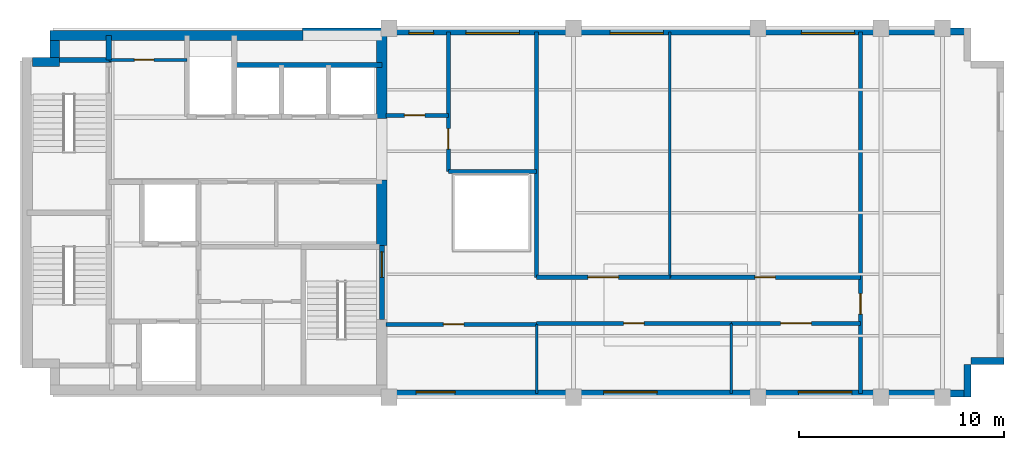
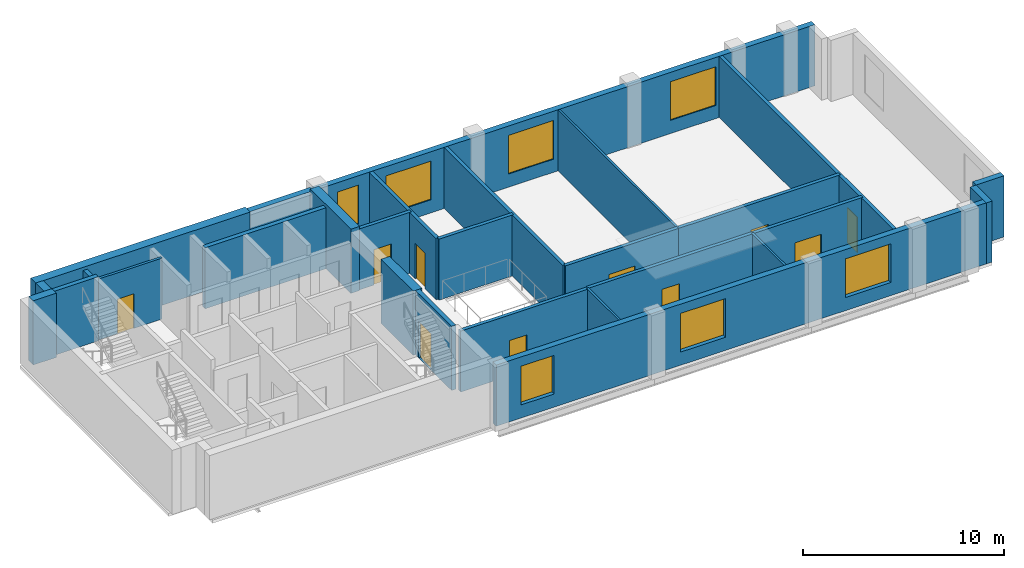
# One storey, part 3 of 5: 27 walls, 10 doors, 7 windows, 17 openings.
"""IFC4 building model written with IfcOpenShell, lengths in metres."""

import ifcopenshell
import ifcopenshell.guid

model = None  # the IFC model being written
_history = None  # IfcOwnerHistory: only IFC2X3 demands one
_inside = {}  # id of a spatial element -> (the spatial element, [elements in it])
_under = {}  # id of a project, library or spatial element -> (it, [spatial elements below it])
_declared = {}  # id of a project -> (the project, [libraries it declares])
_typed = {}  # id of a type object -> (the type object, [elements of that type])
_made_of = {}  # id of a material, layer set ... -> (it, [elements and type objects made of it])


def new_model(schema):
    """Start an empty IFC model of exactly this schema.

    Asked for "IFC4X3", IfcOpenShell would pick the latest addendum, in which some entities
    have other attributes; the version numbers below select the first issue.
    IFC2X3 requires an IfcOwnerHistory on every rooted entity: one is made here for all.
    """
    global model, _history
    if schema == "IFC4X3":
        model = ifcopenshell.file(schema_version=(4, 3, 0, 0))
    else:
        model = ifcopenshell.file(schema=schema)
    _inside.clear()
    _under.clear()
    _declared.clear()
    _typed.clear()
    _made_of.clear()
    _history = None
    if model.schema == "IFC2X3":
        org = make("IfcOrganization", Name="unknown")
        user = make(
            "IfcPersonAndOrganization",
            ThePerson=make("IfcPerson", FamilyName="unknown"),
            TheOrganization=org,
        )
        app = make(
            "IfcApplication",
            ApplicationDeveloper=org,
            Version="unknown",
            ApplicationFullName="unknown",
            ApplicationIdentifier="unknown",
        )
        _history = make(
            "IfcOwnerHistory",
            OwningUser=user,
            OwningApplication=app,
            ChangeAction="ADDED",
            CreationDate=0,
        )
    return model


def make(cls, **values):
    """One entity of the class cls with the attributes given. An attribute that is None is left unset."""
    return model.create_entity(
        cls, **{name: value for name, value in values.items() if value is not None}
    )


def rooted(cls, **values):
    """An entity with a GlobalId (a new one), such as an element, a storey or a relation."""
    return make(cls, GlobalId=ifcopenshell.guid.new(), OwnerHistory=_history, **values)


def si_unit(unit_type, name, prefix=None):
    """IfcSIUnit, for example si_unit("LENGTHUNIT", "METRE", prefix="MILLI")."""
    return make("IfcSIUnit", UnitType=unit_type, Prefix=prefix, Name=name)


def assignment(units):
    """IfcUnitAssignment: the units of a project."""
    return None if units is None else make("IfcUnitAssignment", Units=units)


def point(xyz):
    """IfcCartesianPoint."""
    return None if xyz is None else make("IfcCartesianPoint", Coordinates=xyz)


def direction(xyz):
    """IfcDirection."""
    return None if xyz is None else make("IfcDirection", DirectionRatios=xyz)


def frame(location, z_axis=None, x_axis=None):
    """IfcAxis2Placement3D, a coordinate frame: its origin and axes. An axis left out is left unset."""
    return make(
        "IfcAxis2Placement3D",
        Location=point(location),
        Axis=direction(z_axis),
        RefDirection=direction(x_axis),
    )


def frame_2d(location, x_axis=None):
    """IfcAxis2Placement2D, a coordinate frame in the plane: its origin and x axis."""
    return make(
        "IfcAxis2Placement2D", Location=point(location), RefDirection=direction(x_axis)
    )


def origin():
    """The frame at (0, 0, 0) with its axes left unset."""
    return frame((0.0, 0.0, 0.0))


def place(relative_to, where):
    """IfcLocalPlacement: puts the frame where relative to a parent placement (None: the world)."""
    return make(
        "IfcLocalPlacement", PlacementRelTo=relative_to, RelativePlacement=where
    )


def context(
    kind, dimensions, precision=None, world=None, true_north=None, identifier=None
):
    """IfcGeometricRepresentationContext, for example the 3D "Model" context."""
    return make(
        "IfcGeometricRepresentationContext",
        ContextIdentifier=identifier,
        ContextType=kind,
        CoordinateSpaceDimension=dimensions,
        Precision=precision,
        WorldCoordinateSystem=world,
        TrueNorth=true_north,
    )


def subcontext(parent, identifier, kind, view, scale=None):
    """IfcGeometricRepresentationSubContext, for example "Body" below "Model"."""
    return make(
        "IfcGeometricRepresentationSubContext",
        ContextIdentifier=identifier,
        ContextType=kind,
        ParentContext=parent,
        TargetScale=scale,
        TargetView=view,
    )


def project(units=None, contexts=None):
    """IfcProject with its units and contexts."""
    return rooted(
        "IfcProject",
        Name="project",
        RepresentationContexts=contexts,
        UnitsInContext=assignment(units),
    )


def spatial(cls, under=None, at=None, **own):
    """A site, building, storey or space (cls), placed at a placement, below another one or the project."""
    s = rooted(cls, ObjectPlacement=at, **own)
    if under is not None:
        _under.setdefault(under.id(), (under, []))[1].append(s)
    return s


def profile(cls, at=None, kind="AREA", **sizes):
    """A parametric profile (cls). Its sizes go by their IFC names, for example OverallWidth=200.0."""
    return make(cls, ProfileType=kind, Position=at, **sizes)


def rectangle(**sizes):
    """IfcRectangleProfileDef."""
    return profile("IfcRectangleProfileDef", **sizes)


def extrude(swept, where, along, depth):
    """IfcExtrudedAreaSolid: the profile swept, set in the frame where, extruded along a direction by depth."""
    return make(
        "IfcExtrudedAreaSolid",
        SweptArea=swept,
        Position=where,
        ExtrudedDirection=direction(along),
        Depth=depth,
    )


def shape(context_of_items, identifier, shape_type, items):
    """IfcShapeRepresentation: the items that make up one representation, for example the "Body"."""
    return make(
        "IfcShapeRepresentation",
        ContextOfItems=context_of_items,
        RepresentationIdentifier=identifier,
        RepresentationType=shape_type,
        Items=items,
    )


def material(Name=None, Category=None):
    """IfcMaterial."""
    return make("IfcMaterial", Name=Name, Category=Category)


def layer(
    of_material, thickness, ventilated=None, Name=None, Category=None, Priority=None
):
    """IfcMaterialLayer: one layer of a wall or slab, of a material (None: an air gap)."""
    return make(
        "IfcMaterialLayer",
        Material=of_material,
        LayerThickness=thickness,
        IsVentilated=ventilated,
        Name=Name,
        Category=Category,
        Priority=Priority,
    )


def layer_set(layers, Name=None):
    """IfcMaterialLayerSet."""
    return make("IfcMaterialLayerSet", MaterialLayers=layers, LayerSetName=Name)


def made_of(thing, what):
    """Note that an element or type object is made of a material, layer set ...; save() writes the relation."""
    if what is not None:
        _made_of.setdefault(what.id(), (what, []))[1].append(thing)
    return thing


def type_object(cls, material=None, **own):
    """A type object (cls), such as IfcWallType, which elements share."""
    return made_of(rooted(cls, **own), material)


def element(
    cls,
    number,
    at=None,
    inside=None,
    cuts=None,
    type_object=None,
    material=None,
    context=None,
    identifier="Body",
    shape_type=None,
    held_by="IfcProductDefinitionShape",
    body=None,
    shapes=None,
    **own,
):
    """One element of the class cls, such as IfcWall. Its Tag is "e" and its number.

    at: its placement. inside: the storey or other place that contains it. cuts: it is an
    opening in that element (IfcRelVoidsElement). A single representation is given by context,
    identifier, shape_type and body (its items); several are given by shapes. held_by: the class
    of the entity that holds the representations. save() writes the other relations.
    """
    e = rooted(cls, Tag="e%d" % number, ObjectPlacement=at, **own)
    if body is not None:
        shapes = [shape(context, identifier, shape_type, body)]
    if shapes is not None:
        e.Representation = make(held_by, Representations=shapes)
    if inside is not None:
        _inside.setdefault(inside.id(), (inside, []))[1].append(e)
    if cuts is not None:
        rooted(
            "IfcRelVoidsElement", RelatingBuildingElement=cuts, RelatedOpeningElement=e
        )
    if type_object is not None:
        _typed.setdefault(type_object.id(), (type_object, []))[1].append(e)
    return made_of(e, material)


def fill(opening, filler):
    """IfcRelFillsElement: the door or window that sits in an opening."""
    return rooted(
        "IfcRelFillsElement",
        RelatingOpeningElement=opening,
        RelatedBuildingElement=filler,
    )


def aggregate(whole, parts):
    """IfcRelAggregates: a whole, such as a stair, and the parts it consists of."""
    return rooted("IfcRelAggregates", RelatingObject=whole, RelatedObjects=parts)


def save(model, path):
    """Write the relations noted so far, then the file.

    IfcRelAggregates (storeys below a building ...), IfcRelContainedInSpatialStructure (elements
    in a storey), IfcRelDefinesByType, IfcRelAssociatesMaterial and IfcRelDeclares: one each for
    every whole, place, type object, material and project.
    """
    for whole, parts in _under.values():
        aggregate(whole, parts)
    for where, things in _inside.values():
        rooted(
            "IfcRelContainedInSpatialStructure",
            RelatedElements=things,
            RelatingStructure=where,
        )
    for kind, things in _typed.values():
        rooted("IfcRelDefinesByType", RelatedObjects=things, RelatingType=kind)
    for what, things in _made_of.values():
        rooted("IfcRelAssociatesMaterial", RelatedObjects=things, RelatingMaterial=what)
    for by, libraries in _declared.values():
        rooted("IfcRelDeclares", RelatingContext=by, RelatedDefinitions=libraries)
    model.write(path)


model = new_model("IFC4")

# Units and contexts
model_context = context("Model", 3, precision=1e-05, world=origin(), true_north=direction((0.0, 1.0)))
body_context = subcontext(model_context, "Body", "Model", "MODEL_VIEW")
ifc_project = project(units=[si_unit("LENGTHUNIT", "METRE"), si_unit("AREAUNIT", "SQUARE_METRE"), si_unit("VOLUMEUNIT", "CUBIC_METRE"), si_unit("PLANEANGLEUNIT", "RADIAN"), si_unit("MASSUNIT", "GRAM", prefix="KILO")], contexts=[model_context])

# Site, building, storey
site_placement = place(None, origin())
site = spatial("IfcSite", under=ifc_project, at=site_placement, CompositionType="ELEMENT")
building_placement = place(site_placement, origin())
building = spatial("IfcBuilding", under=site, at=building_placement, Name="Mawjdan Bourse Tower", CompositionType="ELEMENT")
storey_placement = place(building_placement, frame((0.0, 0.0, 266.39990234375)))
storey = spatial("IfcBuildingStorey", under=building, at=storey_placement, Name="L65", CompositionType="ELEMENT", Elevation=266.39990234375)

# Wall, openings, windows
ifc_material_1 = material(Name="Brick Masonry Buff", Category="masonry")
ifc_layer_1 = layer(ifc_material_1, 0.340087890625)
ifc_layer_set_1 = layer_set([ifc_layer_1], Name="Brick Masonry Buff")
wall_type_1 = type_object("IfcWallType", Name="WL-BRK-SPN-340", PredefinedType="STANDARD", material=ifc_layer_set_1)
wall_1_placement = place(storey_placement, frame((23.89990234375, 3.169921875, 0.0), z_axis=(0.0, 0.0, 1.0), x_axis=(1.0, 0.0, 0.0)))
wall_1 = element("IfcWall", 1, at=wall_1_placement, inside=storey, type_object=wall_type_1, Name="L65 Exterior Brick Wall 1", PredefinedType="STANDARD", context=body_context, shape_type="SweptSolid", body=[
    extrude(rectangle(XDim=28.5, YDim=0.340087890625, at=frame_2d((14.25, 0.0))), origin(), (0.0, 0.0, 1.0), 3.715087890625),
])
opening_1_placement = place(wall_1_placement, frame((1.425048828125, 0.0, 0.800048828125)))
opening_1 = element("IfcOpeningElement", 2, at=opening_1_placement, cuts=wall_1, Name="Opening W-L65-01", PredefinedType="OPENING", context=body_context, shape_type="SweptSolid", body=[
    extrude(rectangle(XDim=1.89990234375, YDim=2.35009765625, at=frame_2d((0.949951171875, 1.175048828125))), frame((0.0, 0.18017578125, 0.0), z_axis=(0.0, -1.0, 0.0), x_axis=(1.0, 0.0, 0.0)), (0.0, 0.0, 1.0), 0.360107421875),
])
opening_2_placement = place(wall_1_placement, frame((10.574951171875, 0.0, 0.800048828125)))
opening_2 = element("IfcOpeningElement", 3, at=opening_2_placement, cuts=wall_1, Name="Opening W-L65-02", PredefinedType="OPENING", context=body_context, shape_type="SweptSolid", body=[
    extrude(rectangle(XDim=2.60009765625, YDim=2.35009765625, at=frame_2d((1.300048828125, 1.175048828125))), frame((0.0, 0.18017578125, 0.0), z_axis=(0.0, -1.0, 0.0), x_axis=(1.0, 0.0, 0.0)), (0.0, 0.0, 1.0), 0.360107421875),
])
opening_3_placement = place(wall_1_placement, frame((20.074951171875, 0.0, 0.800048828125)))
opening_3 = element("IfcOpeningElement", 4, at=opening_3_placement, cuts=wall_1, Name="Opening W-L65-03", PredefinedType="OPENING", context=body_context, shape_type="SweptSolid", body=[
    extrude(rectangle(XDim=2.60009765625, YDim=2.35009765625, at=frame_2d((1.300048828125, 1.175048828125))), frame((0.0, 0.18017578125, 0.0), z_axis=(0.0, -1.0, 0.0), x_axis=(1.0, 0.0, 0.0)), (0.0, 0.0, 1.0), 0.360107421875),
])
ifc_material_2 = material(Name="Solar-Control Clear Double Glazing", Category="glass")
window_type_1 = type_object("IfcWindowType", Name="WN-SMT-1900", PartitioningType="SINGLE_PANEL", PredefinedType="WINDOW", material=ifc_material_2)
window_1_placement = place(opening_1_placement, origin())
window_1 = element("IfcWindow", 5, at=window_1_placement, inside=storey, type_object=window_type_1, Name="L65 Deep-Set Masonry Window W-L65-01", OverallHeight=2.35009765625, OverallWidth=1.89990234375, PartitioningType="SINGLE_PANEL", PredefinedType="WINDOW", context=body_context, shape_type="SweptSolid", body=[
    extrude(rectangle(XDim=1.89990234375, YDim=2.35009765625, at=frame_2d((0.949951171875, 1.175048828125))), frame((0.0, 0.110107421875, 0.0), z_axis=(0.0, -1.0, 0.0), x_axis=(1.0, 0.0, 0.0)), (0.0, 0.0, 1.0), 0.06005859375),
])
fill(opening_1, window_1)
window_type_2 = type_object("IfcWindowType", Name="WN-SMT-2600", PartitioningType="SINGLE_PANEL", PredefinedType="WINDOW", material=ifc_material_2)
window_2_placement = place(opening_2_placement, origin())
window_2 = element("IfcWindow", 6, at=window_2_placement, inside=storey, type_object=window_type_2, Name="L65 Deep-Set Masonry Window W-L65-02", OverallHeight=2.35009765625, OverallWidth=2.60009765625, PartitioningType="SINGLE_PANEL", PredefinedType="WINDOW", context=body_context, shape_type="SweptSolid", body=[
    extrude(rectangle(XDim=2.60009765625, YDim=2.35009765625, at=frame_2d((1.300048828125, 1.175048828125))), frame((0.0, 0.110107421875, 0.0), z_axis=(0.0, -1.0, 0.0), x_axis=(1.0, 0.0, 0.0)), (0.0, 0.0, 1.0), 0.06005859375),
])
fill(opening_2, window_2)
window_3_placement = place(opening_3_placement, origin())
window_3 = element("IfcWindow", 7, at=window_3_placement, inside=storey, type_object=window_type_2, Name="L65 Deep-Set Masonry Window W-L65-03", OverallHeight=2.35009765625, OverallWidth=2.60009765625, PartitioningType="SINGLE_PANEL", PredefinedType="WINDOW", context=body_context, shape_type="SweptSolid", body=[
    extrude(rectangle(XDim=2.60009765625, YDim=2.35009765625, at=frame_2d((1.300048828125, 1.175048828125))), frame((0.0, 0.110107421875, 0.0), z_axis=(0.0, -1.0, 0.0), x_axis=(1.0, 0.0, 0.0)), (0.0, 0.0, 1.0), 0.06005859375),
])
fill(opening_3, window_3)

# Walls
for number, where, z_axis, x_axis, name in (
    (8, (52.22998046875, 3.0, 0.0), (0.0, 0.0, 1.0), (0.0, 1.0, 0.0), "L65 Exterior Brick Wall 2"),
    (9, (52.39990234375, 4.77001953125, 0.0), (0.0, 0.0, 1.0), (1.0, 0.0, 0.0), "L65 Exterior Brick Wall 3"),
):
    element("IfcWall", number, at=place(storey_placement, frame(where, z_axis=z_axis, x_axis=x_axis)), inside=storey, type_object=wall_type_1, Name=name, PredefinedType="STANDARD", context=body_context, shape_type="SweptSolid", body=[
        extrude(rectangle(XDim=1.60009765625, YDim=0.340087890625, at=frame_2d((0.800048828125, 0.0))), origin(), (0.0, 0.0, 1.0), 3.715087890625),
    ])

# Wall, openings, windows
wall_2_placement = place(storey_placement, frame((52.39990234375, 20.830078125, 0.0), z_axis=(0.0, 0.0, 1.0), x_axis=(-1.0, 0.0, 0.0)))
wall_2 = element("IfcWall", 10, at=wall_2_placement, inside=storey, type_object=wall_type_1, Name="L65 Exterior Brick Wall 7", PredefinedType="STANDARD", context=body_context, shape_type="SweptSolid", body=[
    extrude(rectangle(XDim=32.619873046875, YDim=0.340087890625, at=frame_2d((16.31005859375, 0.0))), origin(), (0.0, 0.0, 1.0), 3.715087890625),
])
opening_4_placement = place(wall_2_placement, frame((5.68994140625, 0.0, 0.800048828125)))
opening_4 = element("IfcOpeningElement", 11, at=opening_4_placement, cuts=wall_2, Name="Opening W-L65-06", PredefinedType="OPENING", context=body_context, shape_type="SweptSolid", body=[
    extrude(rectangle(XDim=2.60009765625, YDim=2.35009765625, at=frame_2d((1.300048828125, 1.175048828125))), frame((0.0, 0.18017578125, 0.0), z_axis=(0.0, -1.0, 0.0), x_axis=(1.0, 0.0, 0.0)), (0.0, 0.0, 1.0), 0.360107421875),
])
opening_5_placement = place(wall_2_placement, frame((15.010009765625, 0.0, 0.800048828125)))
opening_5 = element("IfcOpeningElement", 12, at=opening_5_placement, cuts=wall_2, Name="Opening W-L65-07", PredefinedType="OPENING", context=body_context, shape_type="SweptSolid", body=[
    extrude(rectangle(XDim=2.60009765625, YDim=2.35009765625, at=frame_2d((1.300048828125, 1.175048828125))), frame((0.0, 0.18017578125, 0.0), z_axis=(0.0, -1.0, 0.0), x_axis=(1.0, 0.0, 0.0)), (0.0, 0.0, 1.0), 0.360107421875),
])
opening_6_placement = place(wall_2_placement, frame((26.225830078125, 0.0, 0.800048828125)))
opening_6 = element("IfcOpeningElement", 13, at=opening_6_placement, cuts=wall_2, Name="Opening W-L65-08", PredefinedType="OPENING", context=body_context, shape_type="SweptSolid", body=[
    extrude(rectangle(XDim=1.199951171875, YDim=2.35009765625, at=frame_2d((0.60009765625, 1.175048828125))), frame((0.0, 0.18017578125, 0.0), z_axis=(0.0, -1.0, 0.0), x_axis=(1.0, 0.0, 0.0)), (0.0, 0.0, 1.0), 0.360107421875),
])
opening_7_placement = place(wall_2_placement, frame((22.0458984375, 0.0, 0.800048828125)))
opening_7 = element("IfcOpeningElement", 14, at=opening_7_placement, cuts=wall_2, Name="Opening W-L65-09", PredefinedType="OPENING", context=body_context, shape_type="SweptSolid", body=[
    extrude(rectangle(XDim=2.60009765625, YDim=2.35009765625, at=frame_2d((1.300048828125, 1.175048828125))), frame((0.0, 0.18017578125, 0.0), z_axis=(0.0, -1.0, 0.0), x_axis=(1.0, 0.0, 0.0)), (0.0, 0.0, 1.0), 0.360107421875),
])
window_type_3 = type_object("IfcWindowType", Name="WN-SMT-1200", PartitioningType="SINGLE_PANEL", PredefinedType="WINDOW", material=ifc_material_2)
window_4_placement = place(opening_6_placement, origin())
window_4 = element("IfcWindow", 15, at=window_4_placement, inside=storey, type_object=window_type_3, Name="L65 Deep-Set Masonry Window W-L65-08", OverallHeight=2.35009765625, OverallWidth=1.199951171875, PartitioningType="SINGLE_PANEL", PredefinedType="WINDOW", context=body_context, shape_type="SweptSolid", body=[
    extrude(rectangle(XDim=1.199951171875, YDim=2.35009765625, at=frame_2d((0.60009765625, 1.175048828125))), frame((0.0, 0.110107421875, 0.0), z_axis=(0.0, -1.0, 0.0), x_axis=(1.0, 0.0, 0.0)), (0.0, 0.0, 1.0), 0.06005859375),
])
fill(opening_6, window_4)
window_5_placement = place(opening_4_placement, origin())
window_5 = element("IfcWindow", 16, at=window_5_placement, inside=storey, type_object=window_type_2, Name="L65 Deep-Set Masonry Window W-L65-06", OverallHeight=2.35009765625, OverallWidth=2.60009765625, PartitioningType="SINGLE_PANEL", PredefinedType="WINDOW", context=body_context, shape_type="SweptSolid", body=[
    extrude(rectangle(XDim=2.60009765625, YDim=2.35009765625, at=frame_2d((1.300048828125, 1.175048828125))), frame((0.0, 0.110107421875, 0.0), z_axis=(0.0, -1.0, 0.0), x_axis=(1.0, 0.0, 0.0)), (0.0, 0.0, 1.0), 0.06005859375),
])
fill(opening_4, window_5)
window_6_placement = place(opening_5_placement, origin())
window_6 = element("IfcWindow", 17, at=window_6_placement, inside=storey, type_object=window_type_2, Name="L65 Deep-Set Masonry Window W-L65-07", OverallHeight=2.35009765625, OverallWidth=2.60009765625, PartitioningType="SINGLE_PANEL", PredefinedType="WINDOW", context=body_context, shape_type="SweptSolid", body=[
    extrude(rectangle(XDim=2.60009765625, YDim=2.35009765625, at=frame_2d((1.300048828125, 1.175048828125))), frame((0.0, 0.110107421875, 0.0), z_axis=(0.0, -1.0, 0.0), x_axis=(1.0, 0.0, 0.0)), (0.0, 0.0, 1.0), 0.06005859375),
])
fill(opening_5, window_6)
window_7_placement = place(opening_7_placement, origin())
window_7 = element("IfcWindow", 18, at=window_7_placement, inside=storey, type_object=window_type_2, Name="L65 Deep-Set Masonry Window W-L65-09", OverallHeight=2.35009765625, OverallWidth=2.60009765625, PartitioningType="SINGLE_PANEL", PredefinedType="WINDOW", context=body_context, shape_type="SweptSolid", body=[
    extrude(rectangle(XDim=2.60009765625, YDim=2.35009765625, at=frame_2d((1.300048828125, 1.175048828125))), frame((0.0, 0.110107421875, 0.0), z_axis=(0.0, -1.0, 0.0), x_axis=(1.0, 0.0, 0.0)), (0.0, 0.0, 1.0), 0.06005859375),
])
fill(opening_7, window_7)

# Wall, opening, door
ifc_material_3 = material(Name="Gypsum Fireboard Assembly")
ifc_layer_2 = layer(ifc_material_3, 0.199951171875)
ifc_layer_set_2 = layer_set([ifc_layer_2], Name="Gypsum Fireboard Assembly")
wall_type_2 = type_object("IfcWallType", Name="WL-CMP-200", PredefinedType="PARTITIONING", material=ifc_layer_set_2)
wall_3_placement = place(storey_placement, frame((23.85009765625, 6.550048828125, 0.0), z_axis=(0.0, 0.0, 1.0), x_axis=(1.0, 0.0, 0.0)))
wall_3 = element("IfcWall", 19, at=wall_3_placement, inside=storey, type_object=wall_type_2, Name="L65 Summit Throat South Wall", PredefinedType="PARTITIONING", context=body_context, shape_type="SweptSolid", body=[
    extrude(rectangle(XDim=7.349853515625, YDim=0.199951171875, at=frame_2d((3.6748046875, 0.0))), origin(), (0.0, 0.0, 1.0), 3.705078125),
])
opening_8_placement = place(wall_3_placement, frame((2.800048828125, 0.0, 0.0)))
opening_8 = element("IfcOpeningElement", 20, at=opening_8_placement, cuts=wall_3, Name="Opening D-L65-18", PredefinedType="OPENING", context=body_context, shape_type="SweptSolid", body=[
    extrude(rectangle(XDim=1.0, YDim=2.14990234375, at=frame_2d((0.5, 1.074951171875))), frame((0.0, 0.10986328125, 0.0), z_axis=(0.0, -1.0, 0.0), x_axis=(1.0, 0.0, 0.0)), (0.0, 0.0, 1.0), 0.219970703125),
])
ifc_material_4 = material(Name="Hardwood Acoustic Leaf", Category="wood")
door_type_1 = type_object("IfcDoorType", Name="DR-OFC-1000", OperationType="NOTDEFINED", PredefinedType="DOOR", material=ifc_material_4)
door_1_placement = place(opening_8_placement, origin())
door_1 = element("IfcDoor", 21, at=door_1_placement, inside=storey, type_object=door_type_1, Name="L65 Summit Throat South Room Door D-L65-18", OperationType="SINGLE_SWING_LEFT", OverallHeight=2.14990234375, OverallWidth=1.0, PredefinedType="DOOR", context=body_context, shape_type="SweptSolid", body=[
    extrude(rectangle(XDim=1.0, YDim=2.14990234375, at=frame_2d((0.5, 1.074951171875))), frame((0.0, 0.02490234375, 0.0), z_axis=(0.0, -1.0, 0.0), x_axis=(1.0, 0.0, 0.0)), (0.0, 0.0, 1.0), 0.050048828125),
])
fill(opening_8, door_1)

wall_4_placement = place(storey_placement, frame((23.85009765625, 16.75, 0.0), z_axis=(0.0, 0.0, 1.0), x_axis=(1.0, 0.0, 0.0)))
wall_4 = element("IfcWall", 22, at=wall_4_placement, inside=storey, type_object=wall_type_2, Name="L65 Summit NW Study South Wall", PredefinedType="PARTITIONING", context=body_context, shape_type="SweptSolid", body=[
    extrude(rectangle(XDim=3.0498046875, YDim=0.199951171875, at=frame_2d((1.52490234375, 0.0))), origin(), (0.0, 0.0, 1.0), 3.705078125),
])
opening_9_placement = place(wall_4_placement, frame((0.89990234375, 0.0, 0.0)))
opening_9 = element("IfcOpeningElement", 23, at=opening_9_placement, cuts=wall_4, Name="Opening D-L65-19", PredefinedType="OPENING", context=body_context, shape_type="SweptSolid", body=[
    extrude(rectangle(XDim=1.0, YDim=2.14990234375, at=frame_2d((0.5, 1.074951171875))), frame((0.0, 0.10986328125, 0.0), z_axis=(0.0, -1.0, 0.0), x_axis=(1.0, 0.0, 0.0)), (0.0, 0.0, 1.0), 0.219970703125),
])
door_2_placement = place(opening_9_placement, origin())
door_2 = element("IfcDoor", 24, at=door_2_placement, inside=storey, type_object=door_type_1, Name="L65 Summit NW Study Door D-L65-19", OperationType="SINGLE_SWING_RIGHT", OverallHeight=2.14990234375, OverallWidth=1.0, PredefinedType="DOOR", context=body_context, shape_type="SweptSolid", body=[
    extrude(rectangle(XDim=1.0, YDim=2.14990234375, at=frame_2d((0.5, 1.074951171875))), frame((0.0, 0.02490234375, 0.0), z_axis=(0.0, -1.0, 0.0), x_axis=(1.0, 0.0, 0.0)), (0.0, 0.0, 1.0), 0.050048828125),
])
fill(opening_9, door_2)

wall_5_placement = place(storey_placement, frame((26.89990234375, 14.0, 0.0), z_axis=(0.0, 0.0, 1.0), x_axis=(0.0, 1.0, 0.0)))
wall_5 = element("IfcWall", 25, at=wall_5_placement, inside=storey, type_object=wall_type_2, Name="L65 Summit North Atrium Suite West Wall", PredefinedType="PARTITIONING", context=body_context, shape_type="SweptSolid", body=[
    extrude(rectangle(XDim=6.820068359375, YDim=0.199951171875, at=frame_2d((3.41015625, 0.0))), origin(), (0.0, 0.0, 1.0), 3.705078125),
])
opening_10_placement = place(wall_5_placement, frame((1.10009765625, 0.0, 0.0)))
opening_10 = element("IfcOpeningElement", 26, at=opening_10_placement, cuts=wall_5, Name="Opening D-L65-20", PredefinedType="OPENING", context=body_context, shape_type="SweptSolid", body=[
    extrude(rectangle(XDim=1.0, YDim=2.14990234375, at=frame_2d((0.5, 1.074951171875))), frame((0.0, 0.10986328125, 0.0), z_axis=(0.0, -1.0, 0.0), x_axis=(1.0, 0.0, 0.0)), (0.0, 0.0, 1.0), 0.219970703125),
])
door_3_placement = place(opening_10_placement, origin())
door_3 = element("IfcDoor", 27, at=door_3_placement, inside=storey, type_object=door_type_1, Name="L65 Summit North Atrium Suite Door D-L65-20", OperationType="SINGLE_SWING_LEFT", OverallHeight=2.14990234375, OverallWidth=1.0, PredefinedType="DOOR", context=body_context, shape_type="SweptSolid", body=[
    extrude(rectangle(XDim=1.0, YDim=2.14990234375, at=frame_2d((0.5, 1.074951171875))), frame((0.0, 0.02490234375, 0.0), z_axis=(0.0, -1.0, 0.0), x_axis=(1.0, 0.0, 0.0)), (0.0, 0.0, 1.0), 0.050048828125),
])
fill(opening_10, door_3)

# Walls
wall_6_placement = place(storey_placement, frame((26.89990234375, 14.0, 0.0), z_axis=(0.0, 0.0, 1.0), x_axis=(1.0, 0.0, 0.0)))
element("IfcWall", 28, at=wall_6_placement, inside=storey, type_object=wall_type_2, Name="L65 Summit North Atrium Suite South Wall", PredefinedType="PARTITIONING", context=body_context, shape_type="SweptSolid", body=[
    extrude(rectangle(XDim=4.300048828125, YDim=0.199951171875, at=frame_2d((2.14990234375, 0.0))), origin(), (0.0, 0.0, 1.0), 3.705078125),
])
wall_7_placement = place(storey_placement, frame((31.199951171875, 8.85009765625, 0.0), z_axis=(0.0, 0.0, 1.0), x_axis=(0.0, 1.0, 0.0)))
element("IfcWall", 29, at=wall_7_placement, inside=storey, type_object=wall_type_2, Name="L65 Summit North Atrium Suite East Wall", PredefinedType="PARTITIONING", context=body_context, shape_type="SweptSolid", body=[
    extrude(rectangle(XDim=11.969970703125, YDim=0.199951171875, at=frame_2d((5.98486328125, 0.0))), origin(), (0.0, 0.0, 1.0), 3.705078125),
])

# Wall, opening, door
wall_8_placement = place(storey_placement, frame((31.199951171875, 6.60009765625, 0.0), z_axis=(0.0, 0.0, 1.0), x_axis=(1.0, 0.0, 0.0)))
wall_8 = element("IfcWall", 30, at=wall_8_placement, inside=storey, type_object=wall_type_2, Name="L65 Chairman Executive Office Corridor Wall", PredefinedType="PARTITIONING", context=body_context, shape_type="SweptSolid", body=[
    extrude(rectangle(XDim=9.5, YDim=0.199951171875, at=frame_2d((4.75, 0.0))), origin(), (0.0, 0.0, 1.0), 3.705078125),
])
opening_11_placement = place(wall_8_placement, frame((4.25, 0.0, 0.0)))
opening_11 = element("IfcOpeningElement", 31, at=opening_11_placement, cuts=wall_8, Name="Opening D-L65-21", PredefinedType="OPENING", context=body_context, shape_type="SweptSolid", body=[
    extrude(rectangle(XDim=1.0, YDim=2.14990234375, at=frame_2d((0.5, 1.074951171875))), frame((0.0, 0.10986328125, 0.0), z_axis=(0.0, -1.0, 0.0), x_axis=(1.0, 0.0, 0.0)), (0.0, 0.0, 1.0), 0.219970703125),
])
door_4_placement = place(opening_11_placement, origin())
door_4 = element("IfcDoor", 32, at=door_4_placement, inside=storey, type_object=door_type_1, Name="L65 Chairman Executive Office Door D-L65-21", OperationType="SINGLE_SWING_RIGHT", OverallHeight=2.14990234375, OverallWidth=1.0, PredefinedType="DOOR", context=body_context, shape_type="SweptSolid", body=[
    extrude(rectangle(XDim=1.0, YDim=2.14990234375, at=frame_2d((0.5, 1.074951171875))), frame((0.0, 0.02490234375, 0.0), z_axis=(0.0, -1.0, 0.0), x_axis=(1.0, 0.0, 0.0)), (0.0, 0.0, 1.0), 0.050048828125),
])
fill(opening_11, door_4)

wall_9_placement = place(storey_placement, frame((40.699951171875, 6.60009765625, 0.0), z_axis=(0.0, 0.0, 1.0), x_axis=(1.0, 0.0, 0.0)))
wall_9 = element("IfcWall", 33, at=wall_9_placement, inside=storey, type_object=wall_type_2, Name="L65 Bourse Executive Boardroom Corridor Wall", PredefinedType="PARTITIONING", context=body_context, shape_type="SweptSolid", body=[
    extrude(rectangle(XDim=6.300048828125, YDim=0.199951171875, at=frame_2d((3.14990234375, 0.0))), origin(), (0.0, 0.0, 1.0), 3.705078125),
])
opening_12_placement = place(wall_9_placement, frame((2.39990234375, 0.0, 0.0)))
opening_12 = element("IfcOpeningElement", 34, at=opening_12_placement, cuts=wall_9, Name="Opening D-L65-22", PredefinedType="OPENING", context=body_context, shape_type="SweptSolid", body=[
    extrude(rectangle(XDim=1.5, YDim=2.300048828125, at=frame_2d((0.75, 1.14990234375))), frame((0.0, 0.10986328125, 0.0), z_axis=(0.0, -1.0, 0.0), x_axis=(1.0, 0.0, 0.0)), (0.0, 0.0, 1.0), 0.219970703125),
])
ifc_material_5 = material(Name="Acoustic Glazed Timber", Category="wood")
door_type_2 = type_object("IfcDoorType", Name="DR-CNF-1500", OperationType="DOUBLE_DOOR_SINGLE_SWING", PredefinedType="DOOR", material=ifc_material_5)
door_5_placement = place(opening_12_placement, origin())
door_5 = element("IfcDoor", 35, at=door_5_placement, inside=storey, type_object=door_type_2, Name="L65 Bourse Executive Boardroom Door D-L65-22", OperationType="DOUBLE_DOOR_SINGLE_SWING", OverallHeight=2.300048828125, OverallWidth=1.5, PredefinedType="DOOR", context=body_context, shape_type="SweptSolid", body=[
    extrude(rectangle(XDim=1.5, YDim=2.300048828125, at=frame_2d((0.75, 1.14990234375))), frame((0.0, 0.02490234375, 0.0), z_axis=(0.0, -1.0, 0.0), x_axis=(1.0, 0.0, 0.0)), (0.0, 0.0, 1.0), 0.050048828125),
])
fill(opening_12, door_5)

wall_10_placement = place(storey_placement, frame((31.199951171875, 8.85009765625, 0.0), z_axis=(0.0, 0.0, 1.0), x_axis=(1.0, 0.0, 0.0)))
wall_10 = element("IfcWall", 36, at=wall_10_placement, inside=storey, type_object=wall_type_2, Name="L65 Conference Room Corridor Wall", PredefinedType="PARTITIONING", context=body_context, shape_type="SweptSolid", body=[
    extrude(rectangle(XDim=6.5, YDim=0.199951171875, at=frame_2d((3.25, 0.0))), origin(), (0.0, 0.0, 1.0), 3.705078125),
])
opening_13_placement = place(wall_10_placement, frame((2.5, 0.0, 0.0)))
opening_13 = element("IfcOpeningElement", 37, at=opening_13_placement, cuts=wall_10, Name="Opening D-L65-23", PredefinedType="OPENING", context=body_context, shape_type="SweptSolid", body=[
    extrude(rectangle(XDim=1.5, YDim=2.300048828125, at=frame_2d((0.75, 1.14990234375))), frame((0.0, 0.10986328125, 0.0), z_axis=(0.0, -1.0, 0.0), x_axis=(1.0, 0.0, 0.0)), (0.0, 0.0, 1.0), 0.219970703125),
])
door_6_placement = place(opening_13_placement, origin())
door_6 = element("IfcDoor", 38, at=door_6_placement, inside=storey, type_object=door_type_2, Name="L65 Conference Room Door D-L65-23", OperationType="DOUBLE_DOOR_SINGLE_SWING", OverallHeight=2.300048828125, OverallWidth=1.5, PredefinedType="DOOR", context=body_context, shape_type="SweptSolid", body=[
    extrude(rectangle(XDim=1.5, YDim=2.300048828125, at=frame_2d((0.75, 1.14990234375))), frame((0.0, 0.02490234375, 0.0), z_axis=(0.0, -1.0, 0.0), x_axis=(1.0, 0.0, 0.0)), (0.0, 0.0, 1.0), 0.050048828125),
])
fill(opening_13, door_6)

wall_11_placement = place(storey_placement, frame((37.699951171875, 8.85009765625, 0.0), z_axis=(0.0, 0.0, 1.0), x_axis=(1.0, 0.0, 0.0)))
wall_11 = element("IfcWall", 39, at=wall_11_placement, inside=storey, type_object=wall_type_2, Name="L65 Diplomatic Salon Corridor Wall", PredefinedType="PARTITIONING", context=body_context, shape_type="SweptSolid", body=[
    extrude(rectangle(XDim=9.300048828125, YDim=0.199951171875, at=frame_2d((4.64990234375, 0.0))), origin(), (0.0, 0.0, 1.0), 3.705078125),
])
opening_14_placement = place(wall_11_placement, frame((4.14990234375, 0.0, 0.0)))
opening_14 = element("IfcOpeningElement", 40, at=opening_14_placement, cuts=wall_11, Name="Opening D-L65-24", PredefinedType="OPENING", context=body_context, shape_type="SweptSolid", body=[
    extrude(rectangle(XDim=1.0, YDim=2.14990234375, at=frame_2d((0.5, 1.074951171875))), frame((0.0, 0.10986328125, 0.0), z_axis=(0.0, -1.0, 0.0), x_axis=(1.0, 0.0, 0.0)), (0.0, 0.0, 1.0), 0.219970703125),
])
door_7_placement = place(opening_14_placement, origin())
door_7 = element("IfcDoor", 41, at=door_7_placement, inside=storey, type_object=door_type_1, Name="L65 Diplomatic Salon Door D-L65-24", OperationType="SINGLE_SWING_LEFT", OverallHeight=2.14990234375, OverallWidth=1.0, PredefinedType="DOOR", context=body_context, shape_type="SweptSolid", body=[
    extrude(rectangle(XDim=1.0, YDim=2.14990234375, at=frame_2d((0.5, 1.074951171875))), frame((0.0, 0.02490234375, 0.0), z_axis=(0.0, -1.0, 0.0), x_axis=(1.0, 0.0, 0.0)), (0.0, 0.0, 1.0), 0.050048828125),
])
fill(opening_14, door_7)

wall_12_placement = place(storey_placement, frame((47.0, 3.179931640625, 0.0), z_axis=(0.0, 0.0, 1.0), x_axis=(0.0, 1.0, 0.0)))
wall_12 = element("IfcWall", 42, at=wall_12_placement, inside=storey, type_object=wall_type_2, Name="L65 East Tip Full Cross Wall", PredefinedType="PARTITIONING", context=body_context, shape_type="SweptSolid", body=[
    extrude(rectangle(XDim=17.64013671875, YDim=0.199951171875, at=frame_2d((8.820068359375, 0.0))), origin(), (0.0, 0.0, 1.0), 3.705078125),
])
opening_15_placement = place(wall_12_placement, frame((3.875, 0.0, 0.0)))
opening_15 = element("IfcOpeningElement", 43, at=opening_15_placement, cuts=wall_12, Name="Opening D-L65-25", PredefinedType="OPENING", context=body_context, shape_type="SweptSolid", body=[
    extrude(rectangle(XDim=1.0, YDim=2.14990234375, at=frame_2d((0.5, 1.074951171875))), frame((0.0, 0.10986328125, 0.0), z_axis=(0.0, -1.0, 0.0), x_axis=(1.0, 0.0, 0.0)), (0.0, 0.0, 1.0), 0.219970703125),
])
door_8_placement = place(opening_15_placement, origin())
door_8 = element("IfcDoor", 44, at=door_8_placement, inside=storey, type_object=door_type_1, Name="L65 East Tip Hall Door D-L65-25", OperationType="SINGLE_SWING_RIGHT", OverallHeight=2.14990234375, OverallWidth=1.0, PredefinedType="DOOR", context=body_context, shape_type="SweptSolid", body=[
    extrude(rectangle(XDim=1.0, YDim=2.14990234375, at=frame_2d((0.5, 1.074951171875))), frame((0.0, 0.02490234375, 0.0), z_axis=(0.0, -1.0, 0.0), x_axis=(1.0, 0.0, 0.0)), (0.0, 0.0, 1.0), 0.050048828125),
])
fill(opening_15, door_8)

# Walls
ifc_material_6 = material(Name="Concrete C60/75", Category="concrete")
ifc_layer_3 = layer(ifc_material_6, 0.449951171875)
ifc_layer_set_3 = layer_set([ifc_layer_3], Name="Concrete C60/75")
wall_type_3 = type_object("IfcWallType", Name="WL-CORE-450", PredefinedType="SHEAR", material=ifc_layer_set_3)
wall_13_placement = place(storey_placement, frame((6.60009765625, 19.35009765625, 0.0), z_axis=(0.0, 0.0, 1.0), x_axis=(1.0, 0.0, 0.0)))
element("IfcWall", 45, at=wall_13_placement, inside=storey, type_object=wall_type_3, Name="L65 Rear Core Shear Wall NW-X", PredefinedType="SHEAR", context=body_context, shape_type="SweptSolid", body=[
    extrude(rectangle(XDim=1.324951171875, YDim=0.449951171875, at=frame_2d((0.66259765625, 0.0))), origin(), (0.0, 0.0, 1.0), 3.900146484375),
])
wall_14_placement = place(storey_placement, frame((7.699951171875, 19.574951171875, 0.0), z_axis=(0.0, 0.0, 1.0), x_axis=(0.0, 1.0, 0.0)))
element("IfcWall", 46, at=wall_14_placement, inside=storey, type_object=wall_type_3, Name="L65 Rear Core Shear Wall NW-Y", PredefinedType="SHEAR", context=body_context, shape_type="SweptSolid", body=[
    extrude(rectangle(XDim=0.824951171875, YDim=0.449951171875, at=frame_2d((0.41259765625, 0.0))), origin(), (0.0, 0.0, 1.0), 3.900146484375),
])
ifc_layer_4 = layer(ifc_material_6, 0.5)
ifc_layer_set_4 = layer_set([ifc_layer_4], Name="Concrete C60/75")
wall_type_4 = type_object("IfcWallType", Name="WL-CORE-500", PredefinedType="SHEAR", material=ifc_layer_set_4)
wall_15_placement = place(storey_placement, frame((7.47509765625, 20.64990234375, 0.0), z_axis=(0.0, 0.0, 1.0), x_axis=(1.0, 0.0, 0.0)))
element("IfcWall", 47, at=wall_15_placement, inside=storey, type_object=wall_type_4, Name="L65 Rear Core Shear Wall N", PredefinedType="SHEAR", context=body_context, shape_type="SweptSolid", body=[
    extrude(rectangle(XDim=12.324951171875, YDim=0.5, at=frame_2d((6.16259765625, 0.0))), origin(), (0.0, 0.0, 1.0), 3.900146484375),
])
wall_16_placement = place(storey_placement, frame((23.64990234375, 10.39990234375, 0.0), z_axis=(0.0, 0.0, 1.0), x_axis=(0.0, 1.0, 0.0)))
element("IfcWall", 48, at=wall_16_placement, inside=storey, type_object=wall_type_4, Name="L65 Rear Core Shear Wall E2", PredefinedType="SHEAR", context=body_context, shape_type="SweptSolid", body=[
    extrude(rectangle(XDim=3.2001953125, YDim=0.5, at=frame_2d((1.60009765625, 0.0))), origin(), (0.0, 0.0, 1.0), 3.900146484375),
])
wall_17_placement = place(storey_placement, frame((23.64990234375, 16.60009765625, 0.0), z_axis=(0.0, 0.0, 1.0), x_axis=(0.0, 1.0, 0.0)))
element("IfcWall", 49, at=wall_17_placement, inside=storey, type_object=wall_type_4, Name="L65 Rear Core Shear Wall E3", PredefinedType="SHEAR", context=body_context, shape_type="SweptSolid", body=[
    extrude(rectangle(XDim=4.0498046875, YDim=0.5, at=frame_2d((2.02490234375, 0.0))), origin(), (0.0, 0.0, 1.0), 3.900146484375),
])
ifc_material_7 = material(Name="Gypsum Partition")
ifc_layer_5 = layer(ifc_material_7, 0.125)
ifc_layer_set_5 = layer_set([ifc_layer_5], Name="Gypsum Partition")
wall_type_5 = type_object("IfcWallType", Name="WL-PRT-125", PredefinedType="PARTITIONING", material=ifc_layer_set_5)
wall_18_placement = place(storey_placement, frame((31.199951171875, 3.179931640625, 0.0), z_axis=(0.0, 0.0, 1.0), x_axis=(0.0, 1.0, 0.0)))
element("IfcWall", 50, at=wall_18_placement, inside=storey, type_object=wall_type_5, Name="L65 Summit Throat South Return", PredefinedType="PARTITIONING", context=body_context, shape_type="SweptSolid", body=[
    extrude(rectangle(XDim=3.3701171875, YDim=0.125, at=frame_2d((1.68505859375, 0.0))), origin(), (0.0, 0.0, 1.0), 3.705078125),
])
wall_19_placement = place(storey_placement, frame((40.699951171875, 3.179931640625, 0.0), z_axis=(0.0, 0.0, 1.0), x_axis=(0.0, 1.0, 0.0)))
element("IfcWall", 51, at=wall_19_placement, inside=storey, type_object=wall_type_5, Name="L65 Bourse Executive Boardroom Partition", PredefinedType="PARTITIONING", context=body_context, shape_type="SweptSolid", body=[
    extrude(rectangle(XDim=3.420166015625, YDim=0.125, at=frame_2d((1.7099609375, 0.0))), origin(), (0.0, 0.0, 1.0), 3.705078125),
])
wall_20_placement = place(storey_placement, frame((37.699951171875, 8.85009765625, 0.0), z_axis=(0.0, 0.0, 1.0), x_axis=(0.0, 1.0, 0.0)))
element("IfcWall", 52, at=wall_20_placement, inside=storey, type_object=wall_type_5, Name="L65 Diplomatic Salon Partition", PredefinedType="PARTITIONING", context=body_context, shape_type="SweptSolid", body=[
    extrude(rectangle(XDim=11.969970703125, YDim=0.125, at=frame_2d((5.98486328125, 0.0))), origin(), (0.0, 0.0, 1.0), 3.705078125),
])

# Wall, opening, door
ifc_material_8 = material(Name="Gypsum Acoustic Partition")
ifc_layer_6 = layer(ifc_material_8, 0.14990234375)
ifc_layer_set_6 = layer_set([ifc_layer_6], Name="Gypsum Acoustic Partition")
wall_type_6 = type_object("IfcWallType", Name="WL-PRT-150", PredefinedType="PARTITIONING", material=ifc_layer_set_6)
wall_21_placement = place(storey_placement, frame((10.330078125, 19.449951171875, 0.0), z_axis=(0.0, 0.0, 1.0), x_axis=(1.0, 0.0, 0.0)))
wall_21 = element("IfcWall", 53, at=wall_21_placement, inside=storey, type_object=wall_type_6, Name="L65 Housekeeping South Wall", PredefinedType="PARTITIONING", context=body_context, shape_type="SweptSolid", body=[
    extrude(rectangle(XDim=3.81982421875, YDim=0.14990234375, at=frame_2d((1.909912109375, 0.0))), origin(), (0.0, 0.0, 1.0), 3.705078125),
])
opening_16_placement = place(wall_21_placement, frame((1.25, 0.0, 0.0)))
opening_16 = element("IfcOpeningElement", 54, at=opening_16_placement, cuts=wall_21, Name="Opening D-L65-17", PredefinedType="OPENING", context=body_context, shape_type="SweptSolid", body=[
    extrude(rectangle(XDim=0.949951171875, YDim=2.10009765625, at=frame_2d((0.47509765625, 1.050048828125))), frame((0.0, 0.0849609375, 0.0), z_axis=(0.0, -1.0, 0.0), x_axis=(1.0, 0.0, 0.0)), (0.0, 0.0, 1.0), 0.169921875),
])
ifc_material_9 = material(Name="Moisture-Resistant Laminate Timber", Category="wood")
door_type_3 = type_object("IfcDoorType", Name="DR-WET-0950", OperationType="NOTDEFINED", PredefinedType="DOOR", material=ifc_material_9)
door_9_placement = place(opening_16_placement, origin())
door_9 = element("IfcDoor", 55, at=door_9_placement, inside=storey, type_object=door_type_3, Name="L65 Housekeeping Closet Door D-L65-17", OperationType="SINGLE_SWING_RIGHT", OverallHeight=2.10009765625, OverallWidth=0.949951171875, PredefinedType="DOOR", context=body_context, shape_type="SweptSolid", body=[
    extrude(rectangle(XDim=0.949951171875, YDim=2.10009765625, at=frame_2d((0.47509765625, 1.050048828125))), frame((0.0, 0.02490234375, 0.0), z_axis=(0.0, -1.0, 0.0), x_axis=(1.0, 0.0, 0.0)), (0.0, 0.0, 1.0), 0.050048828125),
])
fill(opening_16, door_9)

# Walls
ifc_material_10 = material(Name="Concrete C50/60", Category="concrete")
ifc_layer_7 = layer(ifc_material_10, 0.25)
ifc_layer_set_7 = layer_set([ifc_layer_7], Name="Concrete C50/60")
wall_type_7 = type_object("IfcWallType", Name="WL-SHFT-250", PredefinedType="PARTITIONING", material=ifc_layer_set_7)
wall_22_placement = place(storey_placement, frame((10.330078125, 19.449951171875, 0.0), z_axis=(0.0, 0.0, 1.0), x_axis=(0.0, 1.0, 0.0)))
element("IfcWall", 56, at=wall_22_placement, inside=storey, type_object=wall_type_7, Name="L65 NW Riser East Wall", PredefinedType="PARTITIONING", context=body_context, shape_type="SweptSolid", body=[
    extrude(rectangle(XDim=1.199951171875, YDim=0.25, at=frame_2d((0.60009765625, 0.0))), origin(), (0.0, 0.0, 1.0), 3.705078125),
])
wall_23_placement = place(storey_placement, frame((16.449951171875, 19.199951171875, 0.0), z_axis=(0.0, 0.0, 1.0), x_axis=(1.0, 0.0, 0.0)))
element("IfcWall", 57, at=wall_23_placement, inside=storey, type_object=wall_type_7, Name="L65 PH Bank North Shaft Back Wall", PredefinedType="PARTITIONING", context=body_context, shape_type="SweptSolid", body=[
    extrude(rectangle(XDim=7.199951171875, YDim=0.25, at=frame_2d((3.60009765625, 0.0))), origin(), (0.0, 0.0, 1.0), 3.705078125),
])
ifc_layer_8 = layer(ifc_material_10, 0.25)
ifc_layer_set_8 = layer_set([ifc_layer_8], Name="Concrete C50/60")
wall_type_8 = type_object("IfcWallType", Name="WL-STRW-250", PredefinedType="SHEAR", material=ifc_layer_set_8)
wall_24_placement = place(storey_placement, frame((7.699951171875, 19.449951171875, 0.0), z_axis=(0.0, 0.0, 1.0), x_axis=(1.0, 0.0, 0.0)))
element("IfcWall", 58, at=wall_24_placement, inside=storey, type_object=wall_type_8, Name="L65 Stairwell ST2 North Shaft Wall", PredefinedType="SHEAR", context=body_context, shape_type="SweptSolid", body=[
    extrude(rectangle(XDim=2.755126953125, YDim=0.25, at=frame_2d((1.37744140625, 0.0))), origin(), (0.0, 0.0, 1.0), 3.900146484375),
])

# Wall, opening, door
wall_25_placement = place(storey_placement, frame((23.64990234375, 6.800048828125, 0.0), z_axis=(0.0, 0.0, 1.0), x_axis=(0.0, 1.0, 0.0)))
wall_25 = element("IfcWall", 59, at=wall_25_placement, inside=storey, type_object=wall_type_8, Name="L65 ST7 East Shaft Wall", PredefinedType="SHEAR", context=body_context, shape_type="SweptSolid", body=[
    extrude(rectangle(XDim=3.599853515625, YDim=0.25, at=frame_2d((1.7998046875, 0.0))), origin(), (0.0, 0.0, 1.0), 3.900146484375),
])
opening_17_placement = place(wall_25_placement, frame((2.0400390625, 0.0, 0.0)))
opening_17 = element("IfcOpeningElement", 60, at=opening_17_placement, cuts=wall_25, Name="Opening SD-L65-26", PredefinedType="OPENING", context=body_context, shape_type="SweptSolid", body=[
    extrude(rectangle(XDim=1.25, YDim=2.199951171875, at=frame_2d((0.625, 1.10009765625))), frame((0.0, 0.135009765625, 0.0), z_axis=(0.0, -1.0, 0.0), x_axis=(1.0, 0.0, 0.0)), (0.0, 0.0, 1.0), 0.27001953125),
])
ifc_material_11 = material(Name="Fire-Rated Steel Leaf", Category="steel")
door_type_4 = type_object("IfcDoorType", Name="FD-ST-1250", OperationType="NOTDEFINED", PredefinedType="DOOR", material=ifc_material_11)
door_10_placement = place(opening_17_placement, origin())
door_10 = element("IfcDoor", 61, at=door_10_placement, inside=storey, type_object=door_type_4, Name="L65 Stair ST7 Fire Door SD-L65-26", OperationType="SINGLE_SWING_LEFT", OverallHeight=2.199951171875, OverallWidth=1.25, PredefinedType="DOOR", context=body_context, shape_type="SweptSolid", body=[
    extrude(rectangle(XDim=1.25, YDim=2.199951171875, at=frame_2d((0.625, 1.10009765625))), frame((0.0, 0.02490234375, 0.0), z_axis=(0.0, -1.0, 0.0), x_axis=(1.0, 0.0, 0.0)), (0.0, 0.0, 1.0), 0.050048828125),
])
fill(opening_17, door_10)

save(model, "model.ifc")
